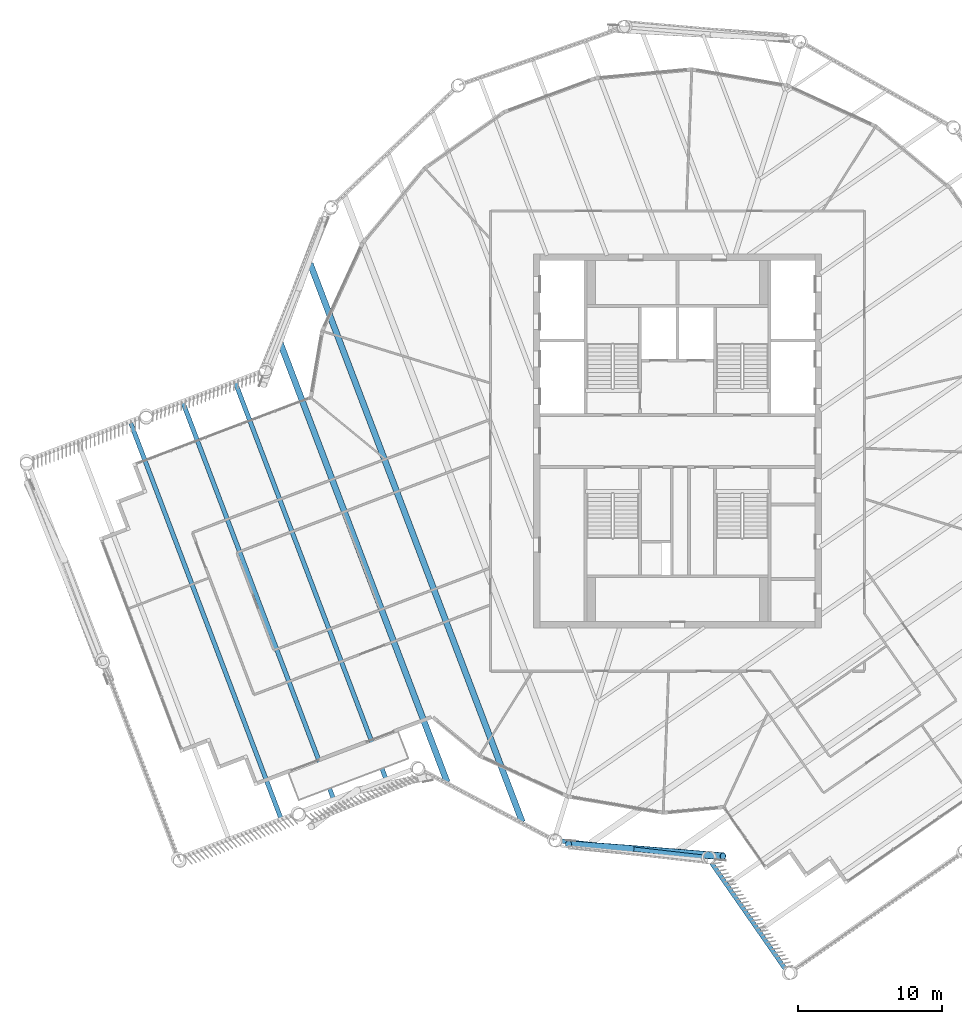
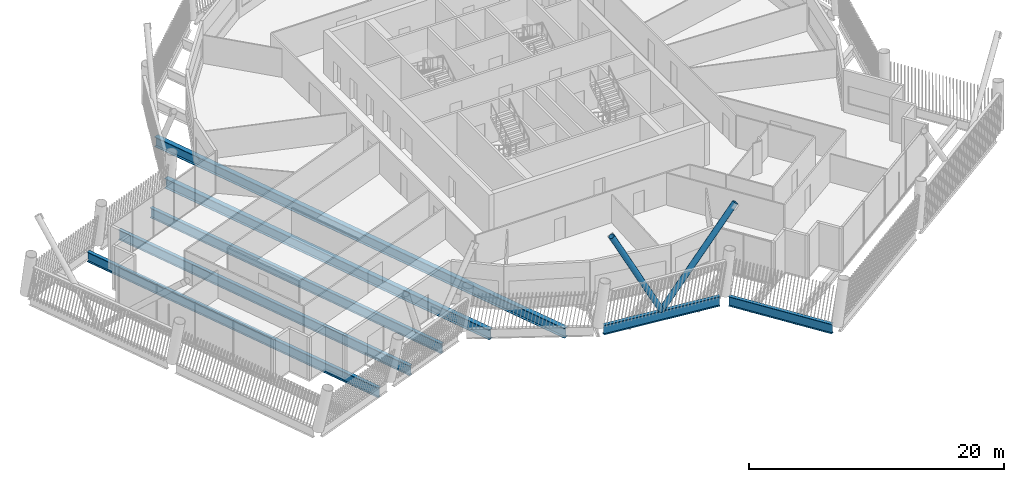
# One storey, part 7 of 33: 7 beams, 2 members.
"""IFC4 building model written with IfcOpenShell, lengths in metres."""

from ifc_helpers import new_model, si_unit, direction, frame, origin, origin_2d, place, context, subcontext, project, spatial, hollow_circle, i_section, extrude, material, material_profile, profile_set, type_object, element, save


model = new_model("IFC4")

# Units and contexts
model_context = context("Model", 3, precision=1e-05, world=origin(), true_north=direction((0.0, 1.0)))
body_context = subcontext(model_context, "Body", "Model", "MODEL_VIEW")
ifc_project = project(units=[si_unit("LENGTHUNIT", "METRE"), si_unit("AREAUNIT", "SQUARE_METRE"), si_unit("VOLUMEUNIT", "CUBIC_METRE"), si_unit("PLANEANGLEUNIT", "RADIAN"), si_unit("MASSUNIT", "GRAM", prefix="KILO")], contexts=[model_context])

# Site, building, storey
site_placement = place(None, origin())
site = spatial("IfcSite", under=ifc_project, at=site_placement, CompositionType="ELEMENT")
building_placement = place(site_placement, origin())
building = spatial("IfcBuilding", under=site, at=building_placement, Name="Tarsis Ring Headquarters", CompositionType="ELEMENT")
storey_placement = place(building_placement, frame((0.0, 0.0, 369.199951171875)))
storey = spatial("IfcBuildingStorey", under=building, at=storey_placement, Name="L87", CompositionType="ELEMENT", Elevation=369.199951171875)

# Beams
ifc_material = material(Name="Structural steel S355", Category="steel")
ifc_material_profile_1 = material_profile(ifc_material, i_section(OverallWidth=0.309814453125, OverallDepth=0.949951171875, WebThickness=0.0244140625, FlangeThickness=0.0439453125, at=origin_2d()), Name="W36x256")
ifc_profile_set_1 = profile_set([ifc_material_profile_1], Name="Structural steel S355")
beam_type_1 = type_object("IfcBeamType", Name="FB Floor beam W36x256", PredefinedType="JOIST", material=ifc_profile_set_1)
beam_1_placement = place(storey_placement, frame((-30.7578125, 4.092041015625, -0.635009765625), z_axis=(0.35511056776, -0.934824306844, 0.0), x_axis=(0.934824306844, 0.35511056776, 0.0)))
element("IfcBeam", 1, at=beam_1_placement, inside=storey, type_object=beam_type_1, Name="Floor beam FB11", PredefinedType="JOIST", context=body_context, shape_type="SweptSolid", body=[
    extrude(i_section(OverallWidth=0.309814453125, OverallDepth=0.949951171875, WebThickness=0.0244140625, FlangeThickness=0.0439453125, at=origin_2d()), origin(), (0.0, 0.0, 1.0), 29.495361328125),
])
beam_2_placement = place(storey_placement, frame((-34.403564453125, 2.70703125, -0.635009765625), z_axis=(0.355106082014, -0.934826010826, 0.0), x_axis=(0.934826010826, 0.355106082014, 0.0)))
element("IfcBeam", 2, at=beam_2_placement, inside=storey, type_object=beam_type_1, Name="Floor beam FB11", PredefinedType="JOIST", context=body_context, shape_type="SweptSolid", body=[
    extrude(i_section(OverallWidth=0.309814453125, OverallDepth=0.949951171875, WebThickness=0.0244140625, FlangeThickness=0.0439453125, at=origin_2d()), origin(), (0.0, 0.0, 1.0), 29.4951171875),
])
beam_3_placement = place(storey_placement, frame((-38.04931640625, 1.322265625, -0.635009765625), z_axis=(0.355103334268, -0.934827054589, 0.0), x_axis=(0.934827054589, 0.355103334268, 0.0)))
element("IfcBeam", 3, at=beam_3_placement, inside=storey, type_object=beam_type_1, Name="Floor beam FB11", PredefinedType="JOIST", context=body_context, shape_type="SweptSolid", body=[
    extrude(i_section(OverallWidth=0.309814453125, OverallDepth=0.949951171875, WebThickness=0.0244140625, FlangeThickness=0.0439453125, at=origin_2d()), origin(), (0.0, 0.0, 1.0), 29.495361328125),
])
ifc_material_profile_2 = material_profile(ifc_material, i_section(OverallWidth=0.42431640625, OverallDepth=0.947509765625, WebThickness=0.02392578125, FlangeThickness=0.042724609375, at=origin_2d()), Name="W36x302")
ifc_profile_set_2 = profile_set([ifc_material_profile_2], Name="Structural steel S355")
beam_type_2 = type_object("IfcBeamType", Name="FB Floor beam W36x302", PredefinedType="JOIST", material=ifc_profile_set_2)
beam_4_placement = place(storey_placement, frame((-25.5478515625, 12.34228515625, -0.633544921875), z_axis=(0.355105366872, -0.934826282482, 0.0), x_axis=(0.934826282482, 0.355105366872, 0.0)))
element("IfcBeam", 4, at=beam_4_placement, inside=storey, type_object=beam_type_2, Name="Floor beam FB12", PredefinedType="JOIST", context=body_context, shape_type="SweptSolid", body=[
    extrude(i_section(OverallWidth=0.42431640625, OverallDepth=0.947509765625, WebThickness=0.02392578125, FlangeThickness=0.042724609375, at=origin_2d()), origin(), (0.0, 0.0, 1.0), 41.531494140625),
])
beam_5_placement = place(storey_placement, frame((-27.6982421875, 7.020263671875, -0.633544921875), z_axis=(0.355108764477, -0.934824991852, 0.0), x_axis=(0.934824991852, 0.355108764477, 0.0)))
element("IfcBeam", 5, at=beam_5_placement, inside=storey, type_object=beam_type_2, Name="Floor beam FB12", PredefinedType="JOIST", context=body_context, shape_type="SweptSolid", body=[
    extrude(i_section(OverallWidth=0.42431640625, OverallDepth=0.947509765625, WebThickness=0.02392578125, FlangeThickness=0.042724609375, at=origin_2d()), origin(), (0.0, 0.0, 1.0), 32.8828125),
])

# Members
ifc_material_profile_3 = material_profile(ifc_material, hollow_circle(Radius=0.25390625, WallThickness=0.02001953125, at=origin_2d()), Name="CHS 508x20")
ifc_profile_set_3 = profile_set([ifc_material_profile_3], Name="Structural steel S355")
member_type = type_object("IfcMemberType", Name="XD X brace CHS 508x20", PredefinedType="BRACE", material=ifc_profile_set_3)
member_1_placement = place(storey_placement, frame((-3.23876953125, -28.360595703125, 0.0), z_axis=(0.605383397336, -0.048741918142, 0.79444015989), x_axis=(0.080254425509, 0.996774411382, 0.0)))
element("IfcMember", 6, at=member_1_placement, inside=storey, type_object=member_type, Name="X brace XD2", PredefinedType="BRACE", context=body_context, shape_type="SweptSolid", body=[
    extrude(hollow_circle(Radius=0.25390625, WallThickness=0.02001953125, at=origin_2d()), origin(), (0.0, 0.0, 1.0), 10.57373046875),
])
member_2_placement = place(storey_placement, frame((-3.23876953125, -28.360595703125, 0.0), z_axis=(-0.458619642374, 0.033577048662, 0.887998088642), x_axis=(-0.073017847782, -0.997330634196, 0.0)))
element("IfcMember", 7, at=member_2_placement, inside=storey, type_object=member_type, Name="X brace XD2", PredefinedType="BRACE", context=body_context, shape_type="SweptSolid", body=[
    extrude(hollow_circle(Radius=0.25390625, WallThickness=0.02001953125, at=origin_2d()), origin(), (0.0, 0.0, 1.0), 9.459716796875),
])

# Beams
ifc_material_profile_4 = material_profile(ifc_material, i_section(OverallWidth=0.3046875, OverallDepth=0.91943359375, WebThickness=0.017333984375, FlangeThickness=0.02783203125, at=origin_2d()), Name="W36x170")
ifc_profile_set_4 = profile_set([ifc_material_profile_4], Name="Structural steel S355")
beam_type_3 = type_object("IfcBeamType", Name="XG Ring girder W36x170", PredefinedType="BEAM", material=ifc_profile_set_4)
beam_6_placement = place(storey_placement, frame((-8.18115234375, -27.796142578125, -0.459716796875), z_axis=(0.993541212291, -0.113471844435, 0.0), x_axis=(0.113471844435, 0.993541212291, 0.0)))
element("IfcBeam", 8, at=beam_6_placement, inside=storey, type_object=beam_type_3, Name="Ring girder XG4", PredefinedType="BEAM", context=body_context, shape_type="SweptSolid", body=[
    extrude(i_section(OverallWidth=0.3046875, OverallDepth=0.91943359375, WebThickness=0.017333984375, FlangeThickness=0.02783203125, at=origin_2d()), origin(), (0.0, 0.0, 1.0), 9.94873046875),
])
beam_7_placement = place(storey_placement, frame((2.34716796875, -29.3095703125, -0.459716796875), z_axis=(0.570711607704, -0.821150571352, 0.0), x_axis=(0.821150571352, 0.570711607704, 0.0)))
element("IfcBeam", 9, at=beam_7_placement, inside=storey, type_object=beam_type_3, Name="Ring girder XG4", PredefinedType="BEAM", context=body_context, shape_type="SweptSolid", body=[
    extrude(i_section(OverallWidth=0.3046875, OverallDepth=0.91943359375, WebThickness=0.017333984375, FlangeThickness=0.02783203125, at=origin_2d()), origin(), (0.0, 0.0, 1.0), 8.981201171875),
])

save(model, "model.ifc")
